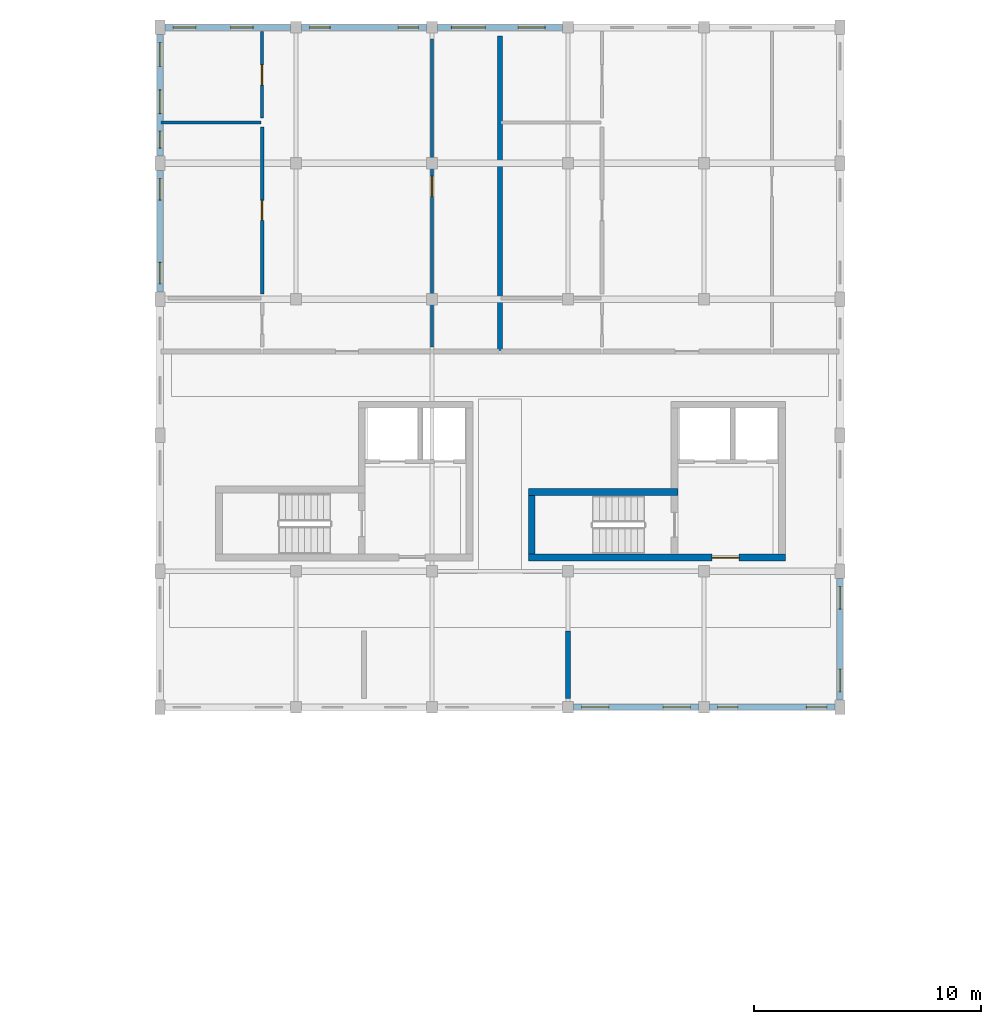
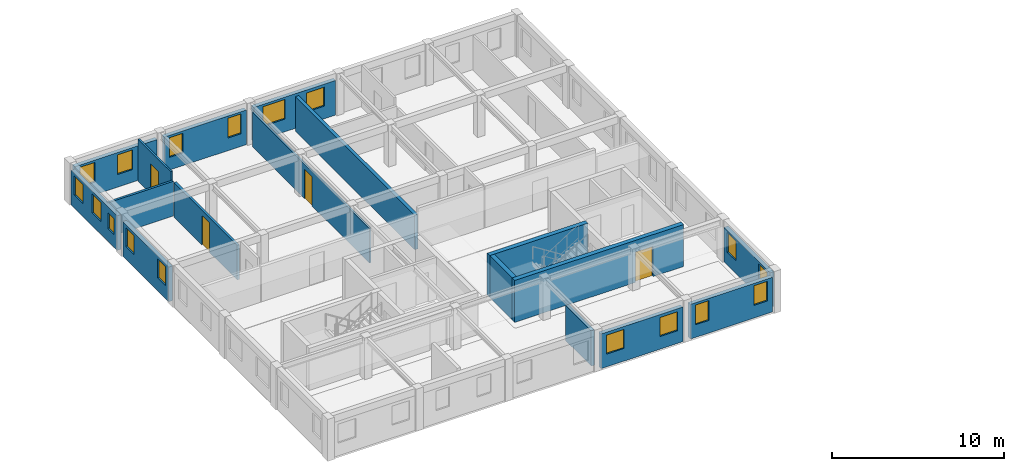
# One storey, part 14 of 23: 17 walls, 17 windows, 4 doors, 21 openings.
"""IFC4 building model written with IfcOpenShell, lengths in metres."""

from ifc_helpers import new_model, si_unit, direction, frame, frame_2d, origin, place, context, subcontext, project, spatial, rectangle, extrude, material, layer, layer_set, type_object, element, fill, save


model = new_model("IFC4")

# Units and contexts
model_context = context("Model", 3, precision=1e-05, world=origin(), true_north=direction((0.0, 1.0)))
body_context = subcontext(model_context, "Body", "Model", "MODEL_VIEW")
ifc_project = project(units=[si_unit("LENGTHUNIT", "METRE"), si_unit("AREAUNIT", "SQUARE_METRE"), si_unit("VOLUMEUNIT", "CUBIC_METRE"), si_unit("PLANEANGLEUNIT", "RADIAN"), si_unit("MASSUNIT", "GRAM", prefix="KILO"), si_unit("POWERUNIT", "WATT"), si_unit("THERMODYNAMICTEMPERATUREUNIT", "KELVIN")], contexts=[model_context])

# Site, building, storey
site_placement = place(None, origin())
site = spatial("IfcSite", under=ifc_project, at=site_placement, CompositionType="ELEMENT")
building_placement = place(site_placement, origin())
building = spatial("IfcBuilding", under=site, at=building_placement, Name="Ruvembo Vaulted Housing Court", CompositionType="ELEMENT")
storey_placement = place(building_placement, frame((0.0, 0.0, 26.89990234375)))
storey = spatial("IfcBuildingStorey", under=building, at=storey_placement, Name="L08", CompositionType="ELEMENT", Elevation=26.89990234375)

# Wall, opening, door
ifc_material_1 = material(Name="Concrete C35/45", Category="concrete")
ifc_layer_1 = layer(ifc_material_1, 0.300048828125, Name="Concrete C35/45")
ifc_layer_set_1 = layer_set([ifc_layer_1], Name="Concrete C35/45")
wall_type_1 = type_object("IfcWallType", Name="WL-CORE-300", PredefinedType="SHEAR", material=ifc_layer_set_1)
wall_1_placement = place(storey_placement, frame((64.25, 90.60009765625, 0.0), z_axis=(0.0, 0.0, 1.0), x_axis=(1.0, 0.0, 0.0)))
wall_1 = element("IfcWall", 1, at=wall_1_placement, inside=storey, type_object=wall_type_1, Name="Core B2 L08 South Shear Wall", PredefinedType="SHEAR", context=body_context, shape_type="SweptSolid", body=[
    extrude(rectangle(XDim=11.35009765625, YDim=0.300048828125, at=frame_2d((5.675048828125, 0.0))), origin(), (0.0, 0.0, 1.0), 2.97998046875),
])
opening_1_placement = place(wall_1_placement, frame((8.10009765625, 0.0, 0.0)))
opening_1 = element("IfcOpeningElement", 2, at=opening_1_placement, cuts=wall_1, Name="Opening LD3", PredefinedType="OPENING", context=body_context, shape_type="SweptSolid", body=[
    extrude(rectangle(XDim=1.199951171875, YDim=2.14990234375, at=frame_2d((0.60009765625, 1.074951171875))), frame((0.0, 0.159912109375, 0.0), z_axis=(0.0, -1.0, 0.0), x_axis=(1.0, 0.0, 0.0)), (0.0, 0.0, 1.0), 0.320068359375),
])
ifc_material_2 = material(Name="Galvanised Painted Steel", Category="steel")
door_type_1 = type_object("IfcDoorType", Name="DR-LOB-1200x2150", OperationType="NOTDEFINED", PredefinedType="DOOR", material=ifc_material_2)
door_1_placement = place(opening_1_placement, origin())
door_1 = element("IfcDoor", 3, at=door_1_placement, inside=storey, type_object=door_type_1, Name="Core B2 L08 Lobby Fire Door", OperationType="SINGLE_SWING_LEFT", OverallHeight=2.14990234375, OverallWidth=1.199951171875, PredefinedType="DOOR", context=body_context, shape_type="SweptSolid", body=[
    extrude(rectangle(XDim=1.199951171875, YDim=2.14990234375, at=frame_2d((0.60009765625, 1.074951171875))), frame((0.0, 0.02490234375, 0.0), z_axis=(0.0, -1.0, 0.0), x_axis=(1.0, 0.0, 0.0)), (0.0, 0.0, 1.0), 0.050048828125),
])
fill(opening_1, door_1)

# Walls
wall_2_placement = place(storey_placement, frame((70.85009765625, 93.5, 0.0), z_axis=(0.0, 0.0, 1.0), x_axis=(-1.0, 0.0, 0.0)))
element("IfcWall", 4, at=wall_2_placement, inside=storey, type_object=wall_type_1, Name="Core B2 L08 Stair North Shear Wall", PredefinedType="SHEAR", context=body_context, shape_type="SweptSolid", body=[
    extrude(rectangle(XDim=6.60009765625, YDim=0.300048828125, at=frame_2d((3.300048828125, 0.0))), origin(), (0.0, 0.0, 1.0), 2.97998046875),
])
wall_3_placement = place(storey_placement, frame((64.39990234375, 93.35009765625, 0.0), z_axis=(0.0, 0.0, 1.0), x_axis=(0.0, -1.0, 0.0)))
element("IfcWall", 5, at=wall_3_placement, inside=storey, type_object=wall_type_1, Name="Core B2 L08 Stair West Shear Wall", PredefinedType="SHEAR", context=body_context, shape_type="SweptSolid", body=[
    extrude(rectangle(XDim=2.60009765625, YDim=0.300048828125, at=frame_2d((1.300048828125, 0.0))), origin(), (0.0, 0.0, 1.0), 2.97998046875),
])
ifc_material_3 = material(Name="Acoustic Masonry Demising 220", Category="masonry")
ifc_layer_2 = layer(ifc_material_3, 0.219970703125, Name="Acoustic Masonry Demising 220")
ifc_layer_set_2 = layer_set([ifc_layer_2], Name="Acoustic Masonry Demising 220")
wall_type_2 = type_object("IfcWallType", Name="WL-DEM-200", PredefinedType="SOLIDWALL", material=ifc_layer_set_2)
wall_4_placement = place(storey_placement, frame((66.0, 84.389892578125, 0.0), z_axis=(0.0, 0.0, 1.0), x_axis=(0.0, 1.0, 0.0)))
element("IfcWall", 6, at=wall_4_placement, inside=storey, type_object=wall_type_2, Name="L08 Demising B-L08-S2 WL-INT-L08-02068", PredefinedType="SOLIDWALL", context=body_context, shape_type="SweptSolid", body=[
    extrude(rectangle(XDim=2.97021484375, YDim=0.219970703125, at=frame_2d((1.485107421875, 0.0))), origin(), (0.0, 0.0, 1.0), 2.508056640625),
])
wall_5_placement = place(storey_placement, frame((63.0, 99.739990234375, 0.0), z_axis=(0.0, 0.0, 1.0), x_axis=(0.0, 1.0, 0.0)))
element("IfcWall", 7, at=wall_5_placement, inside=storey, type_object=wall_type_2, Name="L08 Demising B-L08-N1 WL-INT-L08-02069", PredefinedType="SOLIDWALL", context=body_context, shape_type="SweptSolid", body=[
    extrude(rectangle(XDim=13.8701171875, YDim=0.219970703125, at=frame_2d((6.93505859375, 0.0))), origin(), (0.0, 0.0, 1.0), 2.462158203125),
])

# Wall, openings, windows
ifc_material_4 = material(Name="Rendered Masonry 260", Category="masonry")
ifc_layer_3 = layer(ifc_material_4, 0.260009765625, Name="Rendered Masonry 260")
ifc_layer_set_3 = layer_set([ifc_layer_3], Name="Rendered Masonry 260")
wall_type_3 = type_object("IfcWallType", Name="WL-EXT-260", PredefinedType="STANDARD", material=ifc_layer_set_3)
wall_6_placement = place(storey_placement, frame((66.25, 84.0, 0.0), z_axis=(0.0, 0.0, 1.0), x_axis=(1.0, 0.0, 0.0)))
wall_6 = element("IfcWall", 8, at=wall_6_placement, inside=storey, type_object=wall_type_3, Name="Block B L08 Exterior Wall COURTYARD #4", PredefinedType="STANDARD", context=body_context, shape_type="SweptSolid", body=[
    extrude(rectangle(XDim=5.5, YDim=0.260009765625, at=frame_2d((2.75, 0.0))), origin(), (0.0, 0.0, 1.0), 2.462158203125),
])
opening_2_placement = place(wall_6_placement, frame((0.35009765625, 0.0, 0.89990234375)))
opening_2 = element("IfcOpeningElement", 9, at=opening_2_placement, cuts=wall_6, Name="Opening W12", PredefinedType="OPENING", context=body_context, shape_type="SweptSolid", body=[
    extrude(rectangle(XDim=1.199951171875, YDim=1.35009765625, at=frame_2d((0.60009765625, 0.675048828125))), frame((0.0, 0.139892578125, 0.0), z_axis=(0.0, -1.0, 0.0), x_axis=(1.0, 0.0, 0.0)), (0.0, 0.0, 1.0), 0.280029296875),
])
opening_3_placement = place(wall_6_placement, frame((3.949951171875, 0.0, 0.89990234375)))
opening_3 = element("IfcOpeningElement", 10, at=opening_3_placement, cuts=wall_6, Name="Opening W12", PredefinedType="OPENING", context=body_context, shape_type="SweptSolid", body=[
    extrude(rectangle(XDim=1.199951171875, YDim=1.35009765625, at=frame_2d((0.60009765625, 0.675048828125))), frame((0.0, 0.139892578125, 0.0), z_axis=(0.0, -1.0, 0.0), x_axis=(1.0, 0.0, 0.0)), (0.0, 0.0, 1.0), 0.280029296875),
])
ifc_material_5 = material(Name="Double Solar-Control Glazing in Aluminium Frame", Category="aluminium")
window_type_1 = type_object("IfcWindowType", Name="WIN-1200x1350", PartitioningType="SINGLE_PANEL", PredefinedType="WINDOW", material=ifc_material_5)
window_1_placement = place(opening_2_placement, origin())
window_1 = element("IfcWindow", 11, at=window_1_placement, inside=storey, type_object=window_type_1, Name="Block B L08 Window #952", OverallHeight=1.35009765625, OverallWidth=1.199951171875, PartitioningType="SINGLE_PANEL", PredefinedType="WINDOW", context=body_context, shape_type="SweptSolid", body=[
    extrude(rectangle(XDim=1.199951171875, YDim=1.35009765625, at=frame_2d((0.60009765625, 0.675048828125))), frame((0.0, 0.030029296875, 0.0), z_axis=(0.0, -1.0, 0.0), x_axis=(1.0, 0.0, 0.0)), (0.0, 0.0, 1.0), 0.06005859375),
])
fill(opening_2, window_1)
window_2_placement = place(opening_3_placement, origin())
window_2 = element("IfcWindow", 12, at=window_2_placement, inside=storey, type_object=window_type_1, Name="Block B L08 Window #953", OverallHeight=1.35009765625, OverallWidth=1.199951171875, PartitioningType="SINGLE_PANEL", PredefinedType="WINDOW", context=body_context, shape_type="SweptSolid", body=[
    extrude(rectangle(XDim=1.199951171875, YDim=1.35009765625, at=frame_2d((0.60009765625, 0.675048828125))), frame((0.0, 0.030029296875, 0.0), z_axis=(0.0, -1.0, 0.0), x_axis=(1.0, 0.0, 0.0)), (0.0, 0.0, 1.0), 0.06005859375),
])
fill(opening_3, window_2)

wall_7_placement = place(storey_placement, frame((72.25, 84.0, 0.0), z_axis=(0.0, 0.0, 1.0), x_axis=(1.0, 0.0, 0.0)))
wall_7 = element("IfcWall", 13, at=wall_7_placement, inside=storey, type_object=wall_type_3, Name="Block B L08 Exterior Wall COURTYARD #5", PredefinedType="STANDARD", context=body_context, shape_type="SweptSolid", body=[
    extrude(rectangle(XDim=5.52490234375, YDim=0.260009765625, at=frame_2d((2.762451171875, 0.0))), origin(), (0.0, 0.0, 1.0), 2.462158203125),
])
opening_4_placement = place(wall_7_placement, frame((0.35009765625, 0.0, 0.89990234375)))
opening_4 = element("IfcOpeningElement", 14, at=opening_4_placement, cuts=wall_7, Name="Opening W05", PredefinedType="OPENING", context=body_context, shape_type="SweptSolid", body=[
    extrude(rectangle(XDim=0.89990234375, YDim=1.39990234375, at=frame_2d((0.449951171875, 0.699951171875))), frame((0.0, 0.139892578125, 0.0), z_axis=(0.0, -1.0, 0.0), x_axis=(1.0, 0.0, 0.0)), (0.0, 0.0, 1.0), 0.280029296875),
])
opening_5_placement = place(wall_7_placement, frame((4.27490234375, 0.0, 0.89990234375)))
opening_5 = element("IfcOpeningElement", 15, at=opening_5_placement, cuts=wall_7, Name="Opening W05", PredefinedType="OPENING", context=body_context, shape_type="SweptSolid", body=[
    extrude(rectangle(XDim=0.89990234375, YDim=1.39990234375, at=frame_2d((0.449951171875, 0.699951171875))), frame((0.0, 0.139892578125, 0.0), z_axis=(0.0, -1.0, 0.0), x_axis=(1.0, 0.0, 0.0)), (0.0, 0.0, 1.0), 0.280029296875),
])
window_type_2 = type_object("IfcWindowType", Name="WIN-0900x1400", PartitioningType="SINGLE_PANEL", PredefinedType="WINDOW", material=ifc_material_5)
window_3_placement = place(opening_4_placement, origin())
window_3 = element("IfcWindow", 16, at=window_3_placement, inside=storey, type_object=window_type_2, Name="Block B L08 Window #954", OverallHeight=1.39990234375, OverallWidth=0.89990234375, PartitioningType="SINGLE_PANEL", PredefinedType="WINDOW", context=body_context, shape_type="SweptSolid", body=[
    extrude(rectangle(XDim=0.89990234375, YDim=1.39990234375, at=frame_2d((0.449951171875, 0.699951171875))), frame((0.0, 0.030029296875, 0.0), z_axis=(0.0, -1.0, 0.0), x_axis=(1.0, 0.0, 0.0)), (0.0, 0.0, 1.0), 0.06005859375),
])
fill(opening_4, window_3)
window_4_placement = place(opening_5_placement, origin())
window_4 = element("IfcWindow", 17, at=window_4_placement, inside=storey, type_object=window_type_2, Name="Block B L08 Window #955", OverallHeight=1.39990234375, OverallWidth=0.89990234375, PartitioningType="SINGLE_PANEL", PredefinedType="WINDOW", context=body_context, shape_type="SweptSolid", body=[
    extrude(rectangle(XDim=0.89990234375, YDim=1.39990234375, at=frame_2d((0.449951171875, 0.699951171875))), frame((0.0, 0.030029296875, 0.0), z_axis=(0.0, -1.0, 0.0), x_axis=(1.0, 0.0, 0.0)), (0.0, 0.0, 1.0), 0.06005859375),
])
fill(opening_5, window_4)

wall_8_placement = place(storey_placement, frame((78.0, 84.324951171875, 0.0), z_axis=(0.0, 0.0, 1.0), x_axis=(0.0, 1.0, 0.0)))
wall_8 = element("IfcWall", 18, at=wall_8_placement, inside=storey, type_object=wall_type_3, Name="Block B L08 Exterior Wall EAST #1", PredefinedType="STANDARD", context=body_context, shape_type="SweptSolid", body=[
    extrude(rectangle(XDim=5.35009765625, YDim=0.260009765625, at=frame_2d((2.675048828125, 0.0))), origin(), (0.0, 0.0, 1.0), 2.462158203125),
])
opening_6_placement = place(wall_8_placement, frame((0.35009765625, 0.0, 0.89990234375)))
opening_6 = element("IfcOpeningElement", 19, at=opening_6_placement, cuts=wall_8, Name="Opening W08", PredefinedType="OPENING", context=body_context, shape_type="SweptSolid", body=[
    extrude(rectangle(XDim=1.0, YDim=1.39990234375, at=frame_2d((0.5, 0.699951171875))), frame((0.0, 0.139892578125, 0.0), z_axis=(0.0, -1.0, 0.0), x_axis=(1.0, 0.0, 0.0)), (0.0, 0.0, 1.0), 0.280029296875),
])
opening_7_placement = place(wall_8_placement, frame((4.0, 0.0, 0.89990234375)))
opening_7 = element("IfcOpeningElement", 20, at=opening_7_placement, cuts=wall_8, Name="Opening W08", PredefinedType="OPENING", context=body_context, shape_type="SweptSolid", body=[
    extrude(rectangle(XDim=1.0, YDim=1.39990234375, at=frame_2d((0.5, 0.699951171875))), frame((0.0, 0.139892578125, 0.0), z_axis=(0.0, -1.0, 0.0), x_axis=(1.0, 0.0, 0.0)), (0.0, 0.0, 1.0), 0.280029296875),
])
window_type_3 = type_object("IfcWindowType", Name="WIN-1000x1400", PartitioningType="SINGLE_PANEL", PredefinedType="WINDOW", material=ifc_material_5)
window_5_placement = place(opening_6_placement, origin())
window_5 = element("IfcWindow", 21, at=window_5_placement, inside=storey, type_object=window_type_3, Name="Block B L08 Window #956", OverallHeight=1.39990234375, OverallWidth=1.0, PartitioningType="SINGLE_PANEL", PredefinedType="WINDOW", context=body_context, shape_type="SweptSolid", body=[
    extrude(rectangle(XDim=1.0, YDim=1.39990234375, at=frame_2d((0.5, 0.699951171875))), frame((0.0, 0.030029296875, 0.0), z_axis=(0.0, -1.0, 0.0), x_axis=(1.0, 0.0, 0.0)), (0.0, 0.0, 1.0), 0.06005859375),
])
fill(opening_6, window_5)
window_6_placement = place(opening_7_placement, origin())
window_6 = element("IfcWindow", 22, at=window_6_placement, inside=storey, type_object=window_type_3, Name="Block B L08 Window #957", OverallHeight=1.39990234375, OverallWidth=1.0, PartitioningType="SINGLE_PANEL", PredefinedType="WINDOW", context=body_context, shape_type="SweptSolid", body=[
    extrude(rectangle(XDim=1.0, YDim=1.39990234375, at=frame_2d((0.5, 0.699951171875))), frame((0.0, 0.030029296875, 0.0), z_axis=(0.0, -1.0, 0.0), x_axis=(1.0, 0.0, 0.0)), (0.0, 0.0, 1.0), 0.06005859375),
])
fill(opening_7, window_6)

wall_9_placement = place(storey_placement, frame((65.75, 114.0, 0.0), z_axis=(0.0, 0.0, 1.0), x_axis=(-1.0, 0.0, 0.0)))
wall_9 = element("IfcWall", 23, at=wall_9_placement, inside=storey, type_object=wall_type_3, Name="Block B L08 Exterior Wall STREET #3", PredefinedType="STANDARD", context=body_context, shape_type="SweptSolid", body=[
    extrude(rectangle(XDim=5.5, YDim=0.260009765625, at=frame_2d((2.75, 0.0))), origin(), (0.0, 0.0, 1.0), 2.462158203125),
])
opening_8_placement = place(wall_9_placement, frame((0.7548828125, 0.0, 0.89990234375)))
opening_8 = element("IfcOpeningElement", 24, at=opening_8_placement, cuts=wall_9, Name="Opening W12", PredefinedType="OPENING", context=body_context, shape_type="SweptSolid", body=[
    extrude(rectangle(XDim=1.199951171875, YDim=1.35009765625, at=frame_2d((0.60009765625, 0.675048828125))), frame((0.0, 0.139892578125, 0.0), z_axis=(0.0, -1.0, 0.0), x_axis=(1.0, 0.0, 0.0)), (0.0, 0.0, 1.0), 0.280029296875),
])
opening_9_placement = place(wall_9_placement, frame((3.39501953125, 0.0, 0.89990234375)))
opening_9 = element("IfcOpeningElement", 25, at=opening_9_placement, cuts=wall_9, Name="Opening W18", PredefinedType="OPENING", context=body_context, shape_type="SweptSolid", body=[
    extrude(rectangle(XDim=1.5, YDim=1.39990234375, at=frame_2d((0.75, 0.699951171875))), frame((0.0, 0.139892578125, 0.0), z_axis=(0.0, -1.0, 0.0), x_axis=(1.0, 0.0, 0.0)), (0.0, 0.0, 1.0), 0.280029296875),
])
window_7_placement = place(opening_8_placement, origin())
window_7 = element("IfcWindow", 26, at=window_7_placement, inside=storey, type_object=window_type_1, Name="Block B L08 Window #970", OverallHeight=1.35009765625, OverallWidth=1.199951171875, PartitioningType="SINGLE_PANEL", PredefinedType="WINDOW", context=body_context, shape_type="SweptSolid", body=[
    extrude(rectangle(XDim=1.199951171875, YDim=1.35009765625, at=frame_2d((0.60009765625, 0.675048828125))), frame((0.0, 0.030029296875, 0.0), z_axis=(0.0, -1.0, 0.0), x_axis=(1.0, 0.0, 0.0)), (0.0, 0.0, 1.0), 0.06005859375),
])
fill(opening_8, window_7)
window_type_4 = type_object("IfcWindowType", Name="WIN-1500x1400", PartitioningType="SINGLE_PANEL", PredefinedType="WINDOW", material=ifc_material_5)
window_8_placement = place(opening_9_placement, origin())
window_8 = element("IfcWindow", 27, at=window_8_placement, inside=storey, type_object=window_type_4, Name="Block B L08 Window #971", OverallHeight=1.39990234375, OverallWidth=1.5, PartitioningType="SINGLE_PANEL", PredefinedType="WINDOW", context=body_context, shape_type="SweptSolid", body=[
    extrude(rectangle(XDim=1.5, YDim=1.39990234375, at=frame_2d((0.75, 0.699951171875))), frame((0.0, 0.030029296875, 0.0), z_axis=(0.0, -1.0, 0.0), x_axis=(1.0, 0.0, 0.0)), (0.0, 0.0, 1.0), 0.06005859375),
])
fill(opening_9, window_8)

wall_10_placement = place(storey_placement, frame((59.75, 114.0, 0.0), z_axis=(0.0, 0.0, 1.0), x_axis=(-1.0, 0.0, 0.0)))
wall_10 = element("IfcWall", 28, at=wall_10_placement, inside=storey, type_object=wall_type_3, Name="Block B L08 Exterior Wall STREET #4", PredefinedType="STANDARD", context=body_context, shape_type="SweptSolid", body=[
    extrude(rectangle(XDim=5.5, YDim=0.260009765625, at=frame_2d((2.75, 0.0))), origin(), (0.0, 0.0, 1.0), 2.462158203125),
])
opening_10_placement = place(wall_10_placement, frame((0.35009765625, 0.0, 0.89990234375)))
opening_10 = element("IfcOpeningElement", 29, at=opening_10_placement, cuts=wall_10, Name="Opening W05", PredefinedType="OPENING", context=body_context, shape_type="SweptSolid", body=[
    extrude(rectangle(XDim=0.89990234375, YDim=1.39990234375, at=frame_2d((0.449951171875, 0.699951171875))), frame((0.0, 0.139892578125, 0.0), z_axis=(0.0, -1.0, 0.0), x_axis=(1.0, 0.0, 0.0)), (0.0, 0.0, 1.0), 0.280029296875),
])
opening_11_placement = place(wall_10_placement, frame((4.25, 0.0, 0.89990234375)))
opening_11 = element("IfcOpeningElement", 30, at=opening_11_placement, cuts=wall_10, Name="Opening W05", PredefinedType="OPENING", context=body_context, shape_type="SweptSolid", body=[
    extrude(rectangle(XDim=0.89990234375, YDim=1.39990234375, at=frame_2d((0.449951171875, 0.699951171875))), frame((0.0, 0.139892578125, 0.0), z_axis=(0.0, -1.0, 0.0), x_axis=(1.0, 0.0, 0.0)), (0.0, 0.0, 1.0), 0.280029296875),
])
window_9_placement = place(opening_10_placement, origin())
window_9 = element("IfcWindow", 31, at=window_9_placement, inside=storey, type_object=window_type_2, Name="Block B L08 Window #972", OverallHeight=1.39990234375, OverallWidth=0.89990234375, PartitioningType="SINGLE_PANEL", PredefinedType="WINDOW", context=body_context, shape_type="SweptSolid", body=[
    extrude(rectangle(XDim=0.89990234375, YDim=1.39990234375, at=frame_2d((0.449951171875, 0.699951171875))), frame((0.0, 0.030029296875, 0.0), z_axis=(0.0, -1.0, 0.0), x_axis=(1.0, 0.0, 0.0)), (0.0, 0.0, 1.0), 0.06005859375),
])
fill(opening_10, window_9)
window_10_placement = place(opening_11_placement, origin())
window_10 = element("IfcWindow", 32, at=window_10_placement, inside=storey, type_object=window_type_2, Name="Block B L08 Window #973", OverallHeight=1.39990234375, OverallWidth=0.89990234375, PartitioningType="SINGLE_PANEL", PredefinedType="WINDOW", context=body_context, shape_type="SweptSolid", body=[
    extrude(rectangle(XDim=0.89990234375, YDim=1.39990234375, at=frame_2d((0.449951171875, 0.699951171875))), frame((0.0, 0.030029296875, 0.0), z_axis=(0.0, -1.0, 0.0), x_axis=(1.0, 0.0, 0.0)), (0.0, 0.0, 1.0), 0.06005859375),
])
fill(opening_11, window_10)

wall_11_placement = place(storey_placement, frame((53.75, 114.0, 0.0), z_axis=(0.0, 0.0, 1.0), x_axis=(-1.0, 0.0, 0.0)))
wall_11 = element("IfcWall", 33, at=wall_11_placement, inside=storey, type_object=wall_type_3, Name="Block B L08 Exterior Wall STREET #5", PredefinedType="STANDARD", context=body_context, shape_type="SweptSolid", body=[
    extrude(rectangle(XDim=5.52490234375, YDim=0.260009765625, at=frame_2d((2.762451171875, 0.0))), origin(), (0.0, 0.0, 1.0), 2.462158203125),
])
opening_12_placement = place(wall_11_placement, frame((1.639892578125, 0.0, 0.89990234375)))
opening_12 = element("IfcOpeningElement", 34, at=opening_12_placement, cuts=wall_11, Name="Opening W08", PredefinedType="OPENING", context=body_context, shape_type="SweptSolid", body=[
    extrude(rectangle(XDim=1.0, YDim=1.39990234375, at=frame_2d((0.5, 0.699951171875))), frame((0.0, 0.139892578125, 0.0), z_axis=(0.0, -1.0, 0.0), x_axis=(1.0, 0.0, 0.0)), (0.0, 0.0, 1.0), 0.280029296875),
])
opening_13_placement = place(wall_11_placement, frame((4.175048828125, 0.0, 0.89990234375)))
opening_13 = element("IfcOpeningElement", 35, at=opening_13_placement, cuts=wall_11, Name="Opening W08", PredefinedType="OPENING", context=body_context, shape_type="SweptSolid", body=[
    extrude(rectangle(XDim=1.0, YDim=1.39990234375, at=frame_2d((0.5, 0.699951171875))), frame((0.0, 0.139892578125, 0.0), z_axis=(0.0, -1.0, 0.0), x_axis=(1.0, 0.0, 0.0)), (0.0, 0.0, 1.0), 0.280029296875),
])
window_11_placement = place(opening_12_placement, origin())
window_11 = element("IfcWindow", 36, at=window_11_placement, inside=storey, type_object=window_type_3, Name="Block B L08 Window #974", OverallHeight=1.39990234375, OverallWidth=1.0, PartitioningType="SINGLE_PANEL", PredefinedType="WINDOW", context=body_context, shape_type="SweptSolid", body=[
    extrude(rectangle(XDim=1.0, YDim=1.39990234375, at=frame_2d((0.5, 0.699951171875))), frame((0.0, 0.030029296875, 0.0), z_axis=(0.0, -1.0, 0.0), x_axis=(1.0, 0.0, 0.0)), (0.0, 0.0, 1.0), 0.06005859375),
])
fill(opening_12, window_11)
window_12_placement = place(opening_13_placement, origin())
window_12 = element("IfcWindow", 37, at=window_12_placement, inside=storey, type_object=window_type_3, Name="Block B L08 Window #975", OverallHeight=1.39990234375, OverallWidth=1.0, PartitioningType="SINGLE_PANEL", PredefinedType="WINDOW", context=body_context, shape_type="SweptSolid", body=[
    extrude(rectangle(XDim=1.0, YDim=1.39990234375, at=frame_2d((0.5, 0.699951171875))), frame((0.0, 0.030029296875, 0.0), z_axis=(0.0, -1.0, 0.0), x_axis=(1.0, 0.0, 0.0)), (0.0, 0.0, 1.0), 0.06005859375),
])
fill(opening_13, window_12)

wall_12_placement = place(storey_placement, frame((48.0, 113.675048828125, 0.0), z_axis=(0.0, 0.0, 1.0), x_axis=(0.0, -1.0, 0.0)))
wall_12 = element("IfcWall", 38, at=wall_12_placement, inside=storey, type_object=wall_type_3, Name="Block B L08 Exterior Wall WEST #1", PredefinedType="STANDARD", context=body_context, shape_type="SweptSolid", body=[
    extrude(rectangle(XDim=5.35009765625, YDim=0.260009765625, at=frame_2d((2.675048828125, 0.0))), origin(), (0.0, 0.0, 1.0), 2.462158203125),
])
opening_14_placement = place(wall_12_placement, frame((0.35009765625, 0.0, 0.89990234375)))
opening_14 = element("IfcOpeningElement", 39, at=opening_14_placement, cuts=wall_12, Name="Opening W09", PredefinedType="OPENING", context=body_context, shape_type="SweptSolid", body=[
    extrude(rectangle(XDim=1.050048828125, YDim=1.35009765625, at=frame_2d((0.52490234375, 0.675048828125))), frame((0.0, 0.139892578125, 0.0), z_axis=(0.0, -1.0, 0.0), x_axis=(1.0, 0.0, 0.0)), (0.0, 0.0, 1.0), 0.280029296875),
])
opening_15_placement = place(wall_12_placement, frame((2.43505859375, 0.0, 0.89990234375)))
opening_15 = element("IfcOpeningElement", 40, at=opening_15_placement, cuts=wall_12, Name="Opening W09", PredefinedType="OPENING", context=body_context, shape_type="SweptSolid", body=[
    extrude(rectangle(XDim=1.050048828125, YDim=1.35009765625, at=frame_2d((0.52490234375, 0.675048828125))), frame((0.0, 0.139892578125, 0.0), z_axis=(0.0, -1.0, 0.0), x_axis=(1.0, 0.0, 0.0)), (0.0, 0.0, 1.0), 0.280029296875),
])
opening_16_placement = place(wall_12_placement, frame((4.257568359375, 0.0, 0.89990234375)))
opening_16 = element("IfcOpeningElement", 41, at=opening_16_placement, cuts=wall_12, Name="Opening W01", PredefinedType="OPENING", context=body_context, shape_type="SweptSolid", body=[
    extrude(rectangle(XDim=0.75, YDim=1.14990234375, at=frame_2d((0.375, 0.574951171875))), frame((0.0, 0.139892578125, 0.0), z_axis=(0.0, -1.0, 0.0), x_axis=(1.0, 0.0, 0.0)), (0.0, 0.0, 1.0), 0.280029296875),
])
window_type_5 = type_object("IfcWindowType", Name="WIN-0750x1150", PartitioningType="SINGLE_PANEL", PredefinedType="WINDOW", material=ifc_material_5)
window_13_placement = place(opening_16_placement, origin())
window_13 = element("IfcWindow", 42, at=window_13_placement, inside=storey, type_object=window_type_5, Name="Block B L08 Window #978", OverallHeight=1.14990234375, OverallWidth=0.75, PartitioningType="SINGLE_PANEL", PredefinedType="WINDOW", context=body_context, shape_type="SweptSolid", body=[
    extrude(rectangle(XDim=0.75, YDim=1.14990234375, at=frame_2d((0.375, 0.574951171875))), frame((0.0, 0.030029296875, 0.0), z_axis=(0.0, -1.0, 0.0), x_axis=(1.0, 0.0, 0.0)), (0.0, 0.0, 1.0), 0.06005859375),
])
fill(opening_16, window_13)
window_type_6 = type_object("IfcWindowType", Name="WIN-1050x1350", PartitioningType="SINGLE_PANEL", PredefinedType="WINDOW", material=ifc_material_5)
window_14_placement = place(opening_14_placement, origin())
window_14 = element("IfcWindow", 43, at=window_14_placement, inside=storey, type_object=window_type_6, Name="Block B L08 Window #976", OverallHeight=1.35009765625, OverallWidth=1.050048828125, PartitioningType="SINGLE_PANEL", PredefinedType="WINDOW", context=body_context, shape_type="SweptSolid", body=[
    extrude(rectangle(XDim=1.050048828125, YDim=1.35009765625, at=frame_2d((0.52490234375, 0.675048828125))), frame((0.0, 0.030029296875, 0.0), z_axis=(0.0, -1.0, 0.0), x_axis=(1.0, 0.0, 0.0)), (0.0, 0.0, 1.0), 0.06005859375),
])
fill(opening_14, window_14)
window_15_placement = place(opening_15_placement, origin())
window_15 = element("IfcWindow", 44, at=window_15_placement, inside=storey, type_object=window_type_6, Name="Block B L08 Window #977", OverallHeight=1.35009765625, OverallWidth=1.050048828125, PartitioningType="SINGLE_PANEL", PredefinedType="WINDOW", context=body_context, shape_type="SweptSolid", body=[
    extrude(rectangle(XDim=1.050048828125, YDim=1.35009765625, at=frame_2d((0.52490234375, 0.675048828125))), frame((0.0, 0.030029296875, 0.0), z_axis=(0.0, -1.0, 0.0), x_axis=(1.0, 0.0, 0.0)), (0.0, 0.0, 1.0), 0.06005859375),
])
fill(opening_15, window_15)

wall_13_placement = place(storey_placement, frame((48.0, 107.675048828125, 0.0), z_axis=(0.0, 0.0, 1.0), x_axis=(0.0, -1.0, 0.0)))
wall_13 = element("IfcWall", 45, at=wall_13_placement, inside=storey, type_object=wall_type_3, Name="Block B L08 Exterior Wall WEST #2", PredefinedType="STANDARD", context=body_context, shape_type="SweptSolid", body=[
    extrude(rectangle(XDim=5.35009765625, YDim=0.260009765625, at=frame_2d((2.675048828125, 0.0))), origin(), (0.0, 0.0, 1.0), 2.462158203125),
])
opening_17_placement = place(wall_13_placement, frame((0.35009765625, 0.0, 0.89990234375)))
opening_17 = element("IfcOpeningElement", 46, at=opening_17_placement, cuts=wall_13, Name="Opening W07", PredefinedType="OPENING", context=body_context, shape_type="SweptSolid", body=[
    extrude(rectangle(XDim=0.949951171875, YDim=1.35009765625, at=frame_2d((0.47509765625, 0.675048828125))), frame((0.0, 0.139892578125, 0.0), z_axis=(0.0, -1.0, 0.0), x_axis=(1.0, 0.0, 0.0)), (0.0, 0.0, 1.0), 0.280029296875),
])
opening_18_placement = place(wall_13_placement, frame((4.050048828125, 0.0, 0.89990234375)))
opening_18 = element("IfcOpeningElement", 47, at=opening_18_placement, cuts=wall_13, Name="Opening W07", PredefinedType="OPENING", context=body_context, shape_type="SweptSolid", body=[
    extrude(rectangle(XDim=0.949951171875, YDim=1.35009765625, at=frame_2d((0.47509765625, 0.675048828125))), frame((0.0, 0.139892578125, 0.0), z_axis=(0.0, -1.0, 0.0), x_axis=(1.0, 0.0, 0.0)), (0.0, 0.0, 1.0), 0.280029296875),
])
window_type_7 = type_object("IfcWindowType", Name="WIN-0950x1350", PartitioningType="SINGLE_PANEL", PredefinedType="WINDOW", material=ifc_material_5)
window_16_placement = place(opening_17_placement, origin())
window_16 = element("IfcWindow", 48, at=window_16_placement, inside=storey, type_object=window_type_7, Name="Block B L08 Window #979", OverallHeight=1.35009765625, OverallWidth=0.949951171875, PartitioningType="SINGLE_PANEL", PredefinedType="WINDOW", context=body_context, shape_type="SweptSolid", body=[
    extrude(rectangle(XDim=0.949951171875, YDim=1.35009765625, at=frame_2d((0.47509765625, 0.675048828125))), frame((0.0, 0.030029296875, 0.0), z_axis=(0.0, -1.0, 0.0), x_axis=(1.0, 0.0, 0.0)), (0.0, 0.0, 1.0), 0.06005859375),
])
fill(opening_17, window_16)
window_17_placement = place(opening_18_placement, origin())
window_17 = element("IfcWindow", 49, at=window_17_placement, inside=storey, type_object=window_type_7, Name="Block B L08 Window #980", OverallHeight=1.35009765625, OverallWidth=0.949951171875, PartitioningType="SINGLE_PANEL", PredefinedType="WINDOW", context=body_context, shape_type="SweptSolid", body=[
    extrude(rectangle(XDim=0.949951171875, YDim=1.35009765625, at=frame_2d((0.47509765625, 0.675048828125))), frame((0.0, 0.030029296875, 0.0), z_axis=(0.0, -1.0, 0.0), x_axis=(1.0, 0.0, 0.0)), (0.0, 0.0, 1.0), 0.06005859375),
])
fill(opening_18, window_17)

# Wall, opening, door
ifc_material_6 = material(Name="Plasterboard Stud Partition 125", Category="gypsum")
ifc_layer_4 = layer(ifc_material_6, 0.125, Name="Plasterboard Stud Partition 125")
ifc_layer_set_4 = layer_set([ifc_layer_4], Name="Plasterboard Stud Partition 125")
wall_type_4 = type_object("IfcWallType", Name="WL-PART-125", PredefinedType="PARTITIONING", material=ifc_layer_set_4)
wall_14_placement = place(storey_placement, frame((52.5, 109.989990234375, 0.0), z_axis=(0.0, 0.0, 1.0), x_axis=(0.0, 1.0, 0.0)))
wall_14 = element("IfcWall", 50, at=wall_14_placement, inside=storey, type_object=wall_type_4, Name="L08 Flat B-L08-N1 Bedroom 1 WL-INT-L08-02072", PredefinedType="PARTITIONING", context=body_context, shape_type="SweptSolid", body=[
    extrude(rectangle(XDim=3.820068359375, YDim=0.125, at=frame_2d((1.91015625, 0.0))), origin(), (0.0, 0.0, 1.0), 2.97998046875),
])
opening_19_placement = place(wall_14_placement, frame((1.4599609375, 0.0, 0.0)))
opening_19 = element("IfcOpeningElement", 51, at=opening_19_placement, cuts=wall_14, Name="Opening ID1", PredefinedType="OPENING", context=body_context, shape_type="SweptSolid", body=[
    extrude(rectangle(XDim=0.89990234375, YDim=2.10009765625, at=frame_2d((0.449951171875, 1.050048828125))), frame((0.0, 0.072509765625, 0.0), z_axis=(0.0, -1.0, 0.0), x_axis=(1.0, 0.0, 0.0)), (0.0, 0.0, 1.0), 0.14501953125),
])
ifc_material_7 = material(Name="FSC Hardwood and Engineered Timber", Category="wood")
door_type_2 = type_object("IfcDoorType", Name="DR-ROOM-0900x2100", OperationType="NOTDEFINED", PredefinedType="DOOR", material=ifc_material_7)
door_2_placement = place(opening_19_placement, origin())
door_2 = element("IfcDoor", 52, at=door_2_placement, inside=storey, type_object=door_type_2, Name="L08 Flat B-L08-N1 Bedroom 1 Door DR-INT-L08-01156", OperationType="SINGLE_SWING_RIGHT", OverallHeight=2.10009765625, OverallWidth=0.89990234375, PredefinedType="DOOR", context=body_context, shape_type="SweptSolid", body=[
    extrude(rectangle(XDim=0.89990234375, YDim=2.10009765625, at=frame_2d((0.449951171875, 1.050048828125))), frame((0.0, 0.02490234375, 0.0), z_axis=(0.0, -1.0, 0.0), x_axis=(1.0, 0.0, 0.0)), (0.0, 0.0, 1.0), 0.050048828125),
])
fill(opening_19, door_2)

wall_15_placement = place(storey_placement, frame((60.0, 99.889892578125, 0.0), z_axis=(0.0, 0.0, 1.0), x_axis=(0.0, 1.0, 0.0)))
wall_15 = element("IfcWall", 53, at=wall_15_placement, inside=storey, type_object=wall_type_4, Name="L08 Flat B-L08-N1 Bedroom 2 WL-INT-L08-02078", PredefinedType="PARTITIONING", context=body_context, shape_type="SweptSolid", body=[
    extrude(rectangle(XDim=13.60009765625, YDim=0.125, at=frame_2d((6.800048828125, 0.0))), origin(), (0.0, 0.0, 1.0), 2.4580078125),
])
opening_20_placement = place(wall_15_placement, frame((6.64990234375, 0.0, 0.0)))
opening_20 = element("IfcOpeningElement", 54, at=opening_20_placement, cuts=wall_15, Name="Opening ID3", PredefinedType="OPENING", context=body_context, shape_type="SweptSolid", body=[
    extrude(rectangle(XDim=0.8798828125, YDim=2.10009765625, at=frame_2d((0.43994140625, 1.050048828125))), frame((0.0, 0.072509765625, 0.0), z_axis=(0.0, -1.0, 0.0), x_axis=(1.0, 0.0, 0.0)), (0.0, 0.0, 1.0), 0.14501953125),
])
door_type_3 = type_object("IfcDoorType", Name="DR-ROOM-0880x2100", OperationType="NOTDEFINED", PredefinedType="DOOR", material=ifc_material_7)
door_3_placement = place(opening_20_placement, origin())
door_3 = element("IfcDoor", 55, at=door_3_placement, inside=storey, type_object=door_type_3, Name="L08 Flat B-L08-N1 Bedroom 2 Door DR-INT-L08-01159", OperationType="SINGLE_SWING_LEFT", OverallHeight=2.10009765625, OverallWidth=0.8798828125, PredefinedType="DOOR", context=body_context, shape_type="SweptSolid", body=[
    extrude(rectangle(XDim=0.8798828125, YDim=2.10009765625, at=frame_2d((0.43994140625, 1.050048828125))), frame((0.0, 0.02490234375, 0.0), z_axis=(0.0, -1.0, 0.0), x_axis=(1.0, 0.0, 0.0)), (0.0, 0.0, 1.0), 0.050048828125),
])
fill(opening_20, door_3)

# Wall
ifc_material_8 = material(Name="Moisture-Resistant Wet Partition 150", Category="gypsum")
ifc_layer_5 = layer(ifc_material_8, 0.14990234375, Name="Moisture-Resistant Wet Partition 150")
ifc_layer_set_5 = layer_set([ifc_layer_5], Name="Moisture-Resistant Wet Partition 150")
wall_type_5 = type_object("IfcWallType", Name="WL-PART-150", PredefinedType="PARTITIONING", material=ifc_layer_set_5)
wall_16_placement = place(storey_placement, frame((48.0400390625, 109.800048828125, 0.0), z_axis=(0.0, 0.0, 1.0), x_axis=(1.0, 0.0, 0.0)))
element("IfcWall", 56, at=wall_16_placement, inside=storey, type_object=wall_type_5, Name="L08 Flat B-L08-N1 Wet Wall 1 WL-INT-L08-02075", PredefinedType="PARTITIONING", context=body_context, shape_type="SweptSolid", body=[
    extrude(rectangle(XDim=4.419921875, YDim=0.14990234375, at=frame_2d((2.2099609375, 0.0))), origin(), (0.0, 0.0, 1.0), 2.462158203125),
])

# Wall, opening, door
ifc_material_9 = material(Name="Acoustic Service Chase Wall 160", Category="gypsum")
ifc_layer_6 = layer(ifc_material_9, 0.159912109375, Name="Acoustic Service Chase Wall 160")
ifc_layer_set_6 = layer_set([ifc_layer_6], Name="Acoustic Service Chase Wall 160")
wall_type_6 = type_object("IfcWallType", Name="WL-PLUMB-160", PredefinedType="PLUMBINGWALL", material=ifc_layer_set_6)
wall_17_placement = place(storey_placement, frame((52.5, 102.239990234375, 0.0), z_axis=(0.0, 0.0, 1.0), x_axis=(0.0, 1.0, 0.0)))
wall_17 = element("IfcWall", 57, at=wall_17_placement, inside=storey, type_object=wall_type_6, Name="L08 Flat B-L08-N1 Kitchen WL-INT-L08-02073", PredefinedType="PLUMBINGWALL", context=body_context, shape_type="SweptSolid", body=[
    extrude(rectangle(XDim=7.3701171875, YDim=0.159912109375, at=frame_2d((3.68505859375, 0.0))), origin(), (0.0, 0.0, 1.0), 2.462158203125),
])
opening_21_placement = place(wall_17_placement, frame((3.2451171875, 0.0, 0.0)))
opening_21 = element("IfcOpeningElement", 58, at=opening_21_placement, cuts=wall_17, Name="Opening ID3", PredefinedType="OPENING", context=body_context, shape_type="SweptSolid", body=[
    extrude(rectangle(XDim=0.8798828125, YDim=2.10009765625, at=frame_2d((0.43994140625, 1.050048828125))), frame((0.0, 0.08984375, 0.0), z_axis=(0.0, -1.0, 0.0), x_axis=(1.0, 0.0, 0.0)), (0.0, 0.0, 1.0), 0.179931640625),
])
door_4_placement = place(opening_21_placement, origin())
door_4 = element("IfcDoor", 59, at=door_4_placement, inside=storey, type_object=door_type_3, Name="L08 Flat B-L08-N1 Kitchen Door DR-INT-L08-01157", OperationType="SINGLE_SWING_LEFT", OverallHeight=2.10009765625, OverallWidth=0.8798828125, PredefinedType="DOOR", context=body_context, shape_type="SweptSolid", body=[
    extrude(rectangle(XDim=0.8798828125, YDim=2.10009765625, at=frame_2d((0.43994140625, 1.050048828125))), frame((0.0, 0.02490234375, 0.0), z_axis=(0.0, -1.0, 0.0), x_axis=(1.0, 0.0, 0.0)), (0.0, 0.0, 1.0), 0.050048828125),
])
fill(opening_21, door_4)

save(model, "model.ifc")
